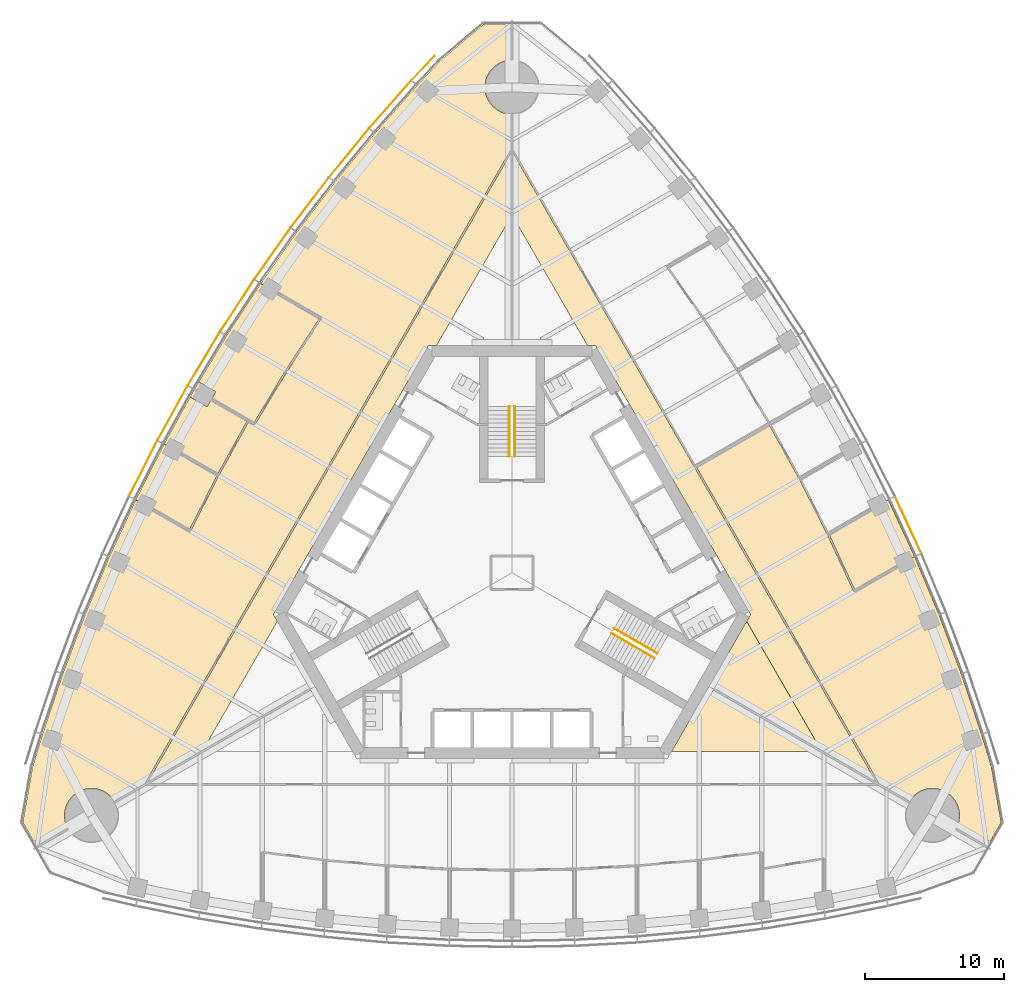
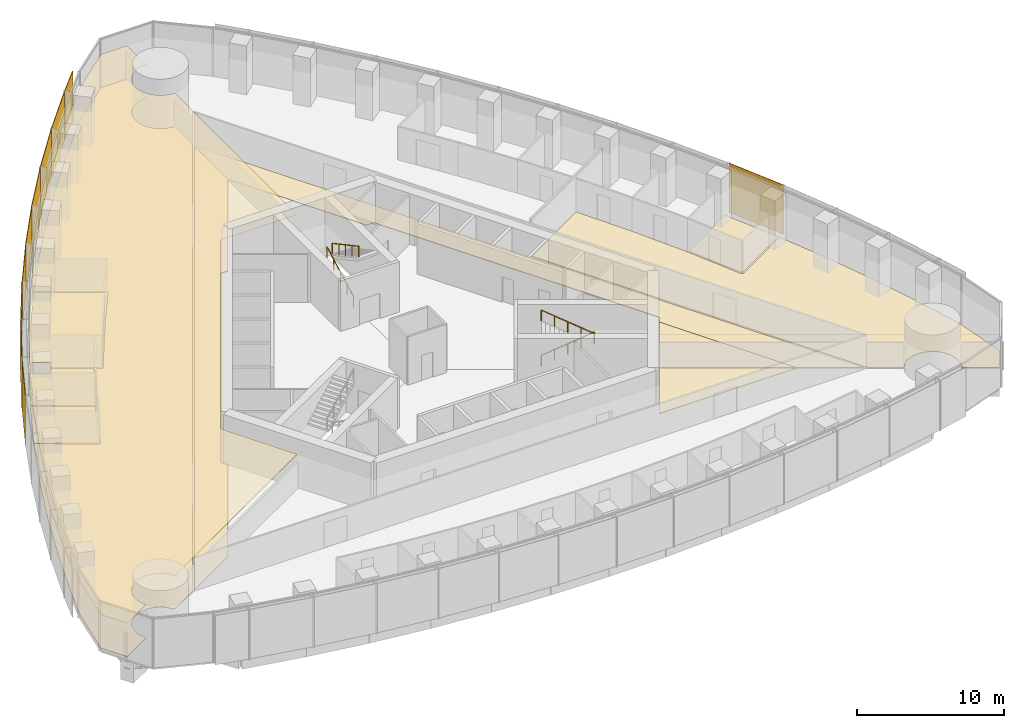
# One storey, part 18 of 21: 11 coverings, 10 shading devices, 4 railings.
"""IFC4 building model written with IfcOpenShell, lengths in metres."""

from ifc_helpers import new_model, si_unit, direction, frame, origin, origin_2d, place, context, subcontext, project, spatial, polyline, rectangle, circle, outline, extrude, material, layer, layer_set, type_object, element, save


model = new_model("IFC4")

# Units and contexts
model_context = context("Model", 3, precision=1e-05, world=origin(), true_north=direction((0.0, 1.0)))
body_context = subcontext(model_context, "Body", "Model", "MODEL_VIEW")
ifc_project = project(units=[si_unit("LENGTHUNIT", "METRE"), si_unit("AREAUNIT", "SQUARE_METRE"), si_unit("VOLUMEUNIT", "CUBIC_METRE"), si_unit("PLANEANGLEUNIT", "RADIAN"), si_unit("MASSUNIT", "GRAM", prefix="KILO")], contexts=[model_context])

# Site, building, storey
site_placement = place(None, origin())
site = spatial("IfcSite", under=ifc_project, at=site_placement, CompositionType="ELEMENT")
building_placement = place(site_placement, origin())
building = spatial("IfcBuilding", under=site, at=building_placement, Name="Trefoil Bronze Tower", CompositionType="ELEMENT")
storey_placement = place(building_placement, frame((0.0, 0.0, 145.10009765625)))
storey = spatial("IfcBuildingStorey", under=building, at=storey_placement, Name="L33", CompositionType="ELEMENT", Elevation=145.10009765625)

# Shading devices
ifc_material_1 = material(Name="Perforated bronze sheet", Category="bronze")
ifc_layer_1 = layer(ifc_material_1, 0.0400390625)
ifc_layer_set_1 = layer_set([ifc_layer_1], Name="Bronze solar screen panel")
shading_device_type = type_object("IfcShadingDeviceType", Name="Bronze solar screen panel", PredefinedType="SHUTTER", material=ifc_layer_set_1)
shading_device_1_placement = place(storey_placement, frame((28.563720703125, 3.444580078125, 0.0498046875), z_axis=(0.0, 0.0, 1.0), x_axis=(-0.419932995871, 0.907555110712, 0.0)))
element("IfcShadingDevice", 1, at=shading_device_1_placement, inside=storey, type_object=shading_device_type, Name="Solar screen CW-A L33 F2 bay 5", PredefinedType="SHUTTER", context=body_context, shape_type="SweptSolid", body=[
    extrude(rectangle(XDim=4.48828125, YDim=0.0400390625, at=origin_2d()), origin(), (0.0, 0.0, 1.0), 4.10009765625),
])
shading_device_2_placement = place(storey_placement, frame((-6.416748046875, 36.383544921875, 0.0498046875), z_axis=(0.0, 0.0, 1.0), x_axis=(-0.682535770759, -0.730852188636, 0.0)))
element("IfcShadingDevice", 2, at=shading_device_2_placement, inside=storey, type_object=shading_device_type, Name="Solar screen CW-A L33 F3 bay 1", PredefinedType="SHUTTER", context=body_context, shape_type="SweptSolid", body=[
    extrude(rectangle(XDim=2.39013671875, YDim=0.0400390625, at=origin_2d()), origin(), (0.0, 0.0, 1.0), 4.10009765625),
])
shading_device_3_placement = place(storey_placement, frame((-8.77197265625, 33.766845703125, 0.0498046875), z_axis=(0.0, 0.0, 1.0), x_axis=(-0.661751405978, -0.749723333428, 0.0)))
element("IfcShadingDevice", 3, at=shading_device_3_placement, inside=storey, type_object=shading_device_type, Name="Solar screen CW-A L33 F3 bay 2", PredefinedType="SHUTTER", context=body_context, shape_type="SweptSolid", body=[
    extrude(rectangle(XDim=4.56103515625, YDim=0.0400390625, at=origin_2d()), origin(), (0.0, 0.0, 1.0), 4.10009765625),
])
shading_device_4_placement = place(storey_placement, frame((-11.7490234375, 30.26708984375, 0.0498046875), z_axis=(0.0, 0.0, 1.0), x_axis=(-0.633839916024, -0.773464259584, 0.0)))
element("IfcShadingDevice", 4, at=shading_device_4_placement, inside=storey, type_object=shading_device_type, Name="Solar screen CW-A L33 F3 bay 3", PredefinedType="SHUTTER", context=body_context, shape_type="SweptSolid", body=[
    extrude(rectangle(XDim=4.5302734375, YDim=0.0400390625, at=origin_2d()), origin(), (0.0, 0.0, 1.0), 4.10009765625),
])
shading_device_5_placement = place(storey_placement, frame((-14.579345703125, 26.6826171875, 0.0498046875), z_axis=(0.0, 0.0, 1.0), x_axis=(-0.605252319983, -0.796033685943, 0.0)))
element("IfcShadingDevice", 5, at=shading_device_5_placement, inside=storey, type_object=shading_device_type, Name="Solar screen CW-A L33 F3 bay 4", PredefinedType="SHUTTER", context=body_context, shape_type="SweptSolid", body=[
    extrude(rectangle(XDim=4.50634765625, YDim=0.0400390625, at=origin_2d()), origin(), (0.0, 0.0, 1.0), 4.10009765625),
])
shading_device_6_placement = place(storey_placement, frame((-17.264892578125, 23.014404296875, 0.0498046875), z_axis=(0.0, 0.0, 1.0), x_axis=(-0.575999283275, -0.817450197667, 0.0)))
element("IfcShadingDevice", 6, at=shading_device_6_placement, inside=storey, type_object=shading_device_type, Name="Solar screen CW-A L33 F3 bay 5", PredefinedType="SHUTTER", context=body_context, shape_type="SweptSolid", body=[
    extrude(rectangle(XDim=4.48828125, YDim=0.0400390625, at=origin_2d()), origin(), (0.0, 0.0, 1.0), 4.10009765625),
])
shading_device_7_placement = place(storey_placement, frame((-19.8076171875, 19.263916015625, 0.0498046875), z_axis=(0.0, 0.0, 1.0), x_axis=(-0.546088612237, -0.837727418427, 0.0)))
element("IfcShadingDevice", 7, at=shading_device_7_placement, inside=storey, type_object=shading_device_type, Name="Solar screen CW-A L33 F3 bay 6", PredefinedType="SHUTTER", context=body_context, shape_type="SweptSolid", body=[
    extrude(rectangle(XDim=4.4765625, YDim=0.0400390625, at=origin_2d()), origin(), (0.0, 0.0, 1.0), 4.10009765625),
])
for number, where, z_axis, x_axis, name in (
    (8, (-22.208740234375, 15.431396484375, 0.0498046875), (0.0, 0.0, 1.0), (-0.515525413486, -0.856874289526, 0.0), "Solar screen CW-A L33 F3 bay 7"),
    (9, (-24.468505859375, 11.517578125, 0.0498046875), (0.0, 0.0, 1.0), (-0.484312195836, -0.874895249138, 0.0), "Solar screen CW-A L33 F3 bay 8"),
):
    element("IfcShadingDevice", number, at=place(storey_placement, frame(where, z_axis=z_axis, x_axis=x_axis)), inside=storey, type_object=shading_device_type, Name=name, PredefinedType="SHUTTER", context=body_context, shape_type="SweptSolid", body=[
        extrude(rectangle(XDim=4.470703125, YDim=0.0400390625, at=origin_2d()), origin(), (0.0, 0.0, 1.0), 4.10009765625),
    ])
shading_device_8_placement = place(storey_placement, frame((-26.5869140625, 7.52197265625, 0.0498046875), z_axis=(0.0, 0.0, 1.0), x_axis=(-0.452448919686, -0.891790320128, 0.0)))
element("IfcShadingDevice", 10, at=shading_device_8_placement, inside=storey, type_object=shading_device_type, Name="Solar screen CW-A L33 F3 bay 9", PredefinedType="SHUTTER", context=body_context, shape_type="SweptSolid", body=[
    extrude(rectangle(XDim=4.4765625, YDim=0.0400390625, at=origin_2d()), origin(), (0.0, 0.0, 1.0), 4.10009765625),
])

# Railings
ifc_material_2 = material(Name="Steel handrail", Category="steel")
railing_type = type_object("IfcRailingType", Name="Handrail 900", PredefinedType="HANDRAIL", material=ifc_material_2)
railing_1_placement = place(storey_placement, frame((7.365966796875, -4.021728515625, 0.161376953125)))
element("IfcRailing", 11, at=railing_1_placement, inside=storey, type_object=railing_type, Name="Handrail ST1 flight 1 L33", PredefinedType="HANDRAIL", context=body_context, shape_type="SweptSolid", body=[
    extrude(circle(Radius=0.02392578125, at=origin_2d()), frame((0.0, 0.0, 0.8759765625), z_axis=(0.76250339821, -0.440245697338, 0.474101564745), x_axis=(0.500012057535, 0.866018442252, 0.0)), (0.0, 0.0, 1.0), 4.088623046875),
    extrude(circle(Radius=0.02099609375, at=origin_2d()), origin(), (0.0, 0.0, 1.0), 0.851806640625),
    extrude(circle(Radius=0.02099609375, at=origin_2d()), frame((0.779296875, -0.449951171875, 0.484619140625)), (0.0, 0.0, 1.0), 0.851806640625),
    extrude(circle(Radius=0.02099609375, at=origin_2d()), frame((1.558837890625, -0.89990234375, 0.96923828125)), (0.0, 0.0, 1.0), 0.851806640625),
    extrude(circle(Radius=0.02099609375, at=origin_2d()), frame((2.33837890625, -1.35009765625, 1.453857421875)), (0.0, 0.0, 1.0), 0.851806640625),
    extrude(circle(Radius=0.02099609375, at=origin_2d()), frame((3.11767578125, -1.800048828125, 1.9384765625)), (0.0, 0.0, 1.0), 0.851806640625),
])
railing_2_placement = place(storey_placement, frame((10.28369140625, -6.168212890625, 2.261474609375)))
element("IfcRailing", 12, at=railing_2_placement, inside=storey, type_object=railing_type, Name="Handrail ST1 flight 2 L33", PredefinedType="HANDRAIL", context=body_context, shape_type="SweptSolid", body=[
    extrude(circle(Radius=0.02392578125, at=origin_2d()), frame((0.0, 0.0, 0.8759765625), z_axis=(-0.76250339821, 0.440245697338, 0.474101564745), x_axis=(-0.500012057535, -0.866018442252, 0.0)), (0.0, 0.0, 1.0), 4.088623046875),
    extrude(circle(Radius=0.02099609375, at=origin_2d()), origin(), (0.0, 0.0, 1.0), 0.851806640625),
    extrude(circle(Radius=0.02099609375, at=origin_2d()), frame((-0.779296875, 0.449951171875, 0.484619140625)), (0.0, 0.0, 1.0), 0.851806640625),
    extrude(circle(Radius=0.02099609375, at=origin_2d()), frame((-1.558837890625, 0.89990234375, 0.96923828125)), (0.0, 0.0, 1.0), 0.851806640625),
    extrude(circle(Radius=0.02099609375, at=origin_2d()), frame((-2.33837890625, 1.35009765625, 1.453857421875)), (0.0, 0.0, 1.0), 0.851806640625),
    extrude(circle(Radius=0.02099609375, at=origin_2d()), frame((-3.11767578125, 1.800048828125, 1.9384765625)), (0.0, 0.0, 1.0), 0.851806640625),
])
railing_3_placement = place(storey_placement, frame((-0.199951171875, 8.389892578125, 0.161376953125)))
element("IfcRailing", 13, at=railing_3_placement, inside=storey, type_object=railing_type, Name="Handrail ST2 flight 1 L33", PredefinedType="HANDRAIL", context=body_context, shape_type="SweptSolid", body=[
    extrude(circle(Radius=0.02392578125, at=origin_2d()), frame((0.0, 0.0, 0.8759765625), z_axis=(0.0, 0.880474934443, 0.474092701714), x_axis=(-1.0, 0.0, 0.0)), (0.0, 0.0, 1.0), 4.0888671875),
    extrude(circle(Radius=0.02099609375, at=origin_2d()), origin(), (0.0, 0.0, 1.0), 0.851806640625),
    extrude(circle(Radius=0.02099609375, at=origin_2d()), frame((0.0, 0.89990234375, 0.484619140625)), (0.0, 0.0, 1.0), 0.851806640625),
    extrude(circle(Radius=0.02099609375, at=origin_2d()), frame((0.0, 1.800048828125, 0.96923828125)), (0.0, 0.0, 1.0), 0.851806640625),
    extrude(circle(Radius=0.02099609375, at=origin_2d()), frame((0.0, 2.7001953125, 1.453857421875)), (0.0, 0.0, 1.0), 0.851806640625),
    extrude(circle(Radius=0.02099609375, at=origin_2d()), frame((0.0, 3.60009765625, 1.9384765625)), (0.0, 0.0, 1.0), 0.851806640625),
])
railing_4_placement = place(storey_placement, frame((0.199951171875, 11.989990234375, 2.261474609375)))
element("IfcRailing", 14, at=railing_4_placement, inside=storey, type_object=railing_type, Name="Handrail ST2 flight 2 L33", PredefinedType="HANDRAIL", context=body_context, shape_type="SweptSolid", body=[
    extrude(circle(Radius=0.02392578125, at=origin_2d()), frame((0.0, 0.0, 0.8759765625), z_axis=(0.0, -0.880474934443, 0.474092701714), x_axis=(1.0, 0.0, 0.0)), (0.0, 0.0, 1.0), 4.0888671875),
    extrude(circle(Radius=0.02099609375, at=origin_2d()), origin(), (0.0, 0.0, 1.0), 0.851806640625),
    extrude(circle(Radius=0.02099609375, at=origin_2d()), frame((0.0, -0.89990234375, 0.484619140625)), (0.0, 0.0, 1.0), 0.851806640625),
    extrude(circle(Radius=0.02099609375, at=origin_2d()), frame((0.0, -1.800048828125, 0.96923828125)), (0.0, 0.0, 1.0), 0.851806640625),
    extrude(circle(Radius=0.02099609375, at=origin_2d()), frame((0.0, -2.7001953125, 1.453857421875)), (0.0, 0.0, 1.0), 0.851806640625),
    extrude(circle(Radius=0.02099609375, at=origin_2d()), frame((0.0, -3.60009765625, 1.9384765625)), (0.0, 0.0, 1.0), 0.851806640625),
])

# Coverings
ifc_material_3 = material(Name="Acoustic ceiling panels", Category="mineral fibre")
ifc_layer_2 = layer(ifc_material_3, 0.02001953125)
ifc_layer_set_2 = layer_set([ifc_layer_2], Name="Office ceiling 20")
covering_type_1 = type_object("IfcCoveringType", Name="Office ceiling 20", PredefinedType="CEILING", material=ifc_layer_set_2)
covering_1_placement = place(storey_placement, frame((0.0, 0.0, 2.89990234375)))
element("IfcCovering", 15, at=covering_1_placement, inside=storey, type_object=covering_type_1, Name="Ceiling L33 Open-plan office F3", PredefinedType="CEILING", context=body_context, shape_type="SweptSolid", body=[
    extrude(outline(polyline([(-33.847900390625, -11.634765625), (-32.385986328125, -7.28271484375), (-30.776611328125, -3.015625), (-29.022216796875, 1.16748046875), (-27.124755859375, 5.268310546875), (-25.085693359375, 9.287109375), (-22.906005859375, 13.224853515625), (-20.585693359375, 17.081298828125), (-18.124755859375, 20.856689453125), (-15.522216796875, 24.55029296875), (-12.776611328125, 28.1611328125), (-9.885986328125, 31.6884765625), (-6.847900390625, 35.130615234375), (-5.1962890625, 36.8994140625), (-2.052001953125, 39.53759765625), (-0.014892578125, 39.53759765625), (-0.013916015625, 36.94970703125), (-0.095703125, 36.94775390625), (-0.191162109375, 36.940673828125), (-0.2861328125, 36.928955078125), (-0.38037109375, 36.91259765625), (-0.473876953125, 36.8916015625), (-0.566162109375, 36.865966796875), (-0.656982421875, 36.8359375), (-0.74609375, 36.801513671875), (-0.833740234375, 36.7626953125), (-0.919189453125, 36.7197265625), (-1.00244140625, 36.672607421875), (-1.08349609375, 36.621337890625), (-1.16162109375, 36.56640625), (-1.237060546875, 36.50732421875), (-1.3095703125, 36.44482421875), (-1.37890625, 36.37890625), (-1.44482421875, 36.3095703125), (-1.50732421875, 36.237060546875), (-1.56640625, 36.16162109375), (-1.621337890625, 36.08349609375), (-1.672607421875, 36.00244140625), (-1.7197265625, 35.919189453125), (-1.7626953125, 35.833740234375), (-1.801513671875, 35.74609375), (-1.8359375, 35.656982421875), (-1.865966796875, 35.566162109375), (-1.8916015625, 35.473876953125), (-1.91259765625, 35.38037109375), (-1.928955078125, 35.2861328125), (-1.940673828125, 35.191162109375), (-1.94775390625, 35.095703125), (-1.949951171875, 35.0), (-1.94775390625, 34.904296875), (-1.940673828125, 34.808837890625), (-1.928955078125, 34.7138671875), (-1.91259765625, 34.61962890625), (-1.8916015625, 34.526123046875), (-1.865966796875, 34.433837890625), (-1.8359375, 34.343017578125), (-1.801513671875, 34.25390625), (-1.7626953125, 34.166259765625), (-1.7197265625, 34.080810546875), (-1.672607421875, 33.99755859375), (-1.621337890625, 33.91650390625), (-1.56640625, 33.83837890625), (-1.50732421875, 33.762939453125), (-1.44482421875, 33.6904296875), (-1.37890625, 33.62109375), (-1.3095703125, 33.55517578125), (-1.237060546875, 33.49267578125), (-1.16162109375, 33.43359375), (-1.08349609375, 33.378662109375), (-1.00244140625, 33.327392578125), (-0.919189453125, 33.2802734375), (-0.833740234375, 33.2373046875), (-0.74609375, 33.198486328125), (-0.656982421875, 33.1640625), (-0.566162109375, 33.134033203125), (-0.473876953125, 33.1083984375), (-0.38037109375, 33.08740234375), (-0.2861328125, 33.071044921875), (-0.191162109375, 33.059326171875), (-0.095703125, 33.05224609375), (-0.012451171875, 33.05029296875), (-0.006103515625, 16.39990234375), (-6.00439453125, 16.39990234375), (-17.205078125, -3.0), (-14.205810546875, -8.194580078125), (-28.628662109375, -16.514404296875), (-28.689453125, -16.41650390625), (-28.74462890625, -16.33837890625), (-28.803466796875, -16.262939453125), (-28.865966796875, -16.1904296875), (-28.931884765625, -16.12109375), (-29.001220703125, -16.05517578125), (-29.07373046875, -15.99267578125), (-29.1494140625, -15.93359375), (-29.2275390625, -15.878662109375), (-29.308349609375, -15.827392578125), (-29.3916015625, -15.7802734375), (-29.477294921875, -15.7373046875), (-29.564697265625, -15.698486328125), (-29.654052734375, -15.6640625), (-29.744873046875, -15.634033203125), (-29.837158203125, -15.6083984375), (-29.930419921875, -15.58740234375), (-30.02490234375, -15.571044921875), (-30.119873046875, -15.559326171875), (-30.215087890625, -15.55224609375), (-30.310791015625, -15.550048828125), (-30.406494140625, -15.55224609375), (-30.501953125, -15.559326171875), (-30.596923828125, -15.571044921875), (-30.69140625, -15.58740234375), (-30.78466796875, -15.6083984375), (-30.876953125, -15.634033203125), (-30.9677734375, -15.6640625), (-31.05712890625, -15.698486328125), (-31.14453125, -15.7373046875), (-31.22998046875, -15.7802734375), (-31.3134765625, -15.827392578125), (-31.394287109375, -15.878662109375), (-31.472412109375, -15.93359375), (-31.548095703125, -15.99267578125), (-31.620361328125, -16.05517578125), (-31.689697265625, -16.12109375), (-31.755615234375, -16.1904296875), (-31.818359375, -16.262939453125), (-31.877197265625, -16.33837890625), (-31.932373046875, -16.41650390625), (-31.9833984375, -16.49755859375), (-32.030517578125, -16.580810546875), (-32.07373046875, -16.666259765625), (-32.112548828125, -16.75390625), (-32.14697265625, -16.843017578125), (-32.177001953125, -16.933837890625), (-32.202392578125, -17.026123046875), (-32.223388671875, -17.11962890625), (-32.23974609375, -17.2138671875), (-32.25146484375, -17.308837890625), (-32.258544921875, -17.404296875), (-32.260986328125, -17.5), (-32.258544921875, -17.595703125), (-32.25146484375, -17.691162109375), (-32.23974609375, -17.7861328125), (-32.223388671875, -17.88037109375), (-32.202392578125, -17.973876953125), (-32.177001953125, -18.066162109375), (-32.14697265625, -18.156982421875), (-32.112548828125, -18.24609375), (-32.07373046875, -18.333740234375), (-32.030517578125, -18.419189453125), (-32.006103515625, -18.462646484375), (-34.247802734375, -19.755859375), (-35.2666015625, -17.99169921875), (-34.5537109375, -13.94970703125), (-33.847900390625, -11.634765625)])), origin(), (0.0, 0.0, 1.0), 0.02001953125),
])
ifc_material_4 = material(Name="Raised access floor panels", Category="steel")
ifc_layer_3 = layer(ifc_material_4, 0.050048828125)
ifc_layer_set_3 = layer_set([ifc_layer_3], Name="Raised access floor 150")
covering_type_2 = type_object("IfcCoveringType", Name="Raised access floor 150", PredefinedType="FLOORING", material=ifc_layer_set_3)
covering_2_placement = place(storey_placement, frame((0.0, 0.0, 0.099853515625)))
element("IfcCovering", 16, at=covering_2_placement, inside=storey, type_object=covering_type_2, Name="Raised floor L33 Open-plan office F1", PredefinedType="FLOORING", context=body_context, shape_type="SweptSolid", body=[
    extrude(outline(polyline([(14.19970703125, -8.205322265625), (22.32421875, -12.89990234375), (11.4892578125, -12.89990234375), (14.19970703125, -8.205322265625)])), origin(), (0.0, 0.0, 1.0), 0.050048828125),
])
covering_3_placement = place(storey_placement, frame((0.0, 0.0, 0.099853515625)))
element("IfcCovering", 17, at=covering_3_placement, inside=storey, type_object=covering_type_2, Name="Raised floor L33 Meeting room F2", PredefinedType="FLOORING", context=body_context, shape_type="SweptSolid", body=[
    extrude(outline(polyline([(27.124755859375, 5.268310546875), (29.022216796875, 1.16748046875), (27.7548828125, 0.435791015625), (27.724853515625, 0.48779296875), (24.718994140625, -1.24755859375), (22.872314453125, 2.74365234375), (25.8916015625, 4.48681640625), (25.861572265625, 4.538818359375), (27.124755859375, 5.268310546875)])), origin(), (0.0, 0.0, 1.0), 0.050048828125),
])
covering_4_placement = place(storey_placement, frame((0.0, 0.0, 0.099853515625)))
element("IfcCovering", 18, at=covering_4_placement, inside=storey, type_object=covering_type_2, Name="Raised floor L33 Corridor F2", PredefinedType="FLOORING", context=body_context, shape_type="SweptSolid", body=[
    extrude(outline(polyline([(26.31591796875, -15.180419921875), (22.333740234375, -12.88330078125), (16.91650390625, -3.5), (17.205078125, -3.0), (6.00439453125, 16.39990234375), (5.427001953125, 16.39990234375), (0.009765625, 25.783203125), (0.011474609375, 30.38037109375), (26.31591796875, -15.180419921875)])), origin(), (0.0, 0.0, 1.0), 0.050048828125),
])
covering_5_placement = place(storey_placement, frame((0.0, 0.0, 0.099853515625)))
element("IfcCovering", 19, at=covering_5_placement, inside=storey, type_object=covering_type_2, Name="Raised floor L33 Open-plan office F2", PredefinedType="FLOORING", context=body_context, shape_type="SweptSolid", body=[
    extrude(outline(polyline([(14.205810546875, -8.194580078125), (16.91650390625, -3.5), (22.333740234375, -12.88330078125), (14.205810546875, -8.194580078125)])), origin(), (0.0, 0.0, 1.0), 0.050048828125),
])
covering_6_placement = place(storey_placement, frame((0.0, 0.0, 0.099853515625)))
element("IfcCovering", 20, at=covering_6_placement, inside=storey, type_object=covering_type_2, Name="Raised floor L33 Open-plan office F2", PredefinedType="FLOORING", context=body_context, shape_type="SweptSolid", body=[
    extrude(outline(polyline([(26.40966796875, -15.234375), (26.466552734375, -15.201416015625), (13.304931640625, 7.594970703125), (18.560302734375, 10.629150390625), (20.70263671875, 6.759033203125), (22.74072265625, 2.7421875), (24.6376953125, -1.357666015625), (24.692138671875, -1.33251953125), (24.72216796875, -1.384521484375), (27.784912109375, 0.3837890625), (27.7548828125, 0.435791015625), (29.022216796875, 1.16748046875), (30.776611328125, -3.015625), (32.385986328125, -7.28271484375), (33.847900390625, -11.634765625), (34.5537109375, -13.94970703125), (35.2666015625, -17.99169921875), (34.247802734375, -19.755859375), (32.006103515625, -18.462646484375), (32.030517578125, -18.419189453125), (32.07373046875, -18.333740234375), (32.112548828125, -18.24609375), (32.14697265625, -18.156982421875), (32.177001953125, -18.066162109375), (32.202392578125, -17.973876953125), (32.223388671875, -17.88037109375), (32.23974609375, -17.7861328125), (32.25146484375, -17.691162109375), (32.258544921875, -17.595703125), (32.260986328125, -17.5), (32.258544921875, -17.404296875), (32.25146484375, -17.308837890625), (32.23974609375, -17.2138671875), (32.223388671875, -17.11962890625), (32.202392578125, -17.026123046875), (32.177001953125, -16.933837890625), (32.14697265625, -16.843017578125), (32.112548828125, -16.75390625), (32.07373046875, -16.666259765625), (32.030517578125, -16.580810546875), (31.9833984375, -16.49755859375), (31.932373046875, -16.41650390625), (31.877197265625, -16.33837890625), (31.818359375, -16.262939453125), (31.755615234375, -16.1904296875), (31.689697265625, -16.12109375), (31.620361328125, -16.05517578125), (31.548095703125, -15.99267578125), (31.472412109375, -15.93359375), (31.394287109375, -15.878662109375), (31.3134765625, -15.827392578125), (31.22998046875, -15.7802734375), (31.14453125, -15.7373046875), (31.05712890625, -15.698486328125), (30.9677734375, -15.6640625), (30.876953125, -15.634033203125), (30.78466796875, -15.6083984375), (30.69140625, -15.58740234375), (30.596923828125, -15.571044921875), (30.501953125, -15.559326171875), (30.406494140625, -15.55224609375), (30.310791015625, -15.550048828125), (30.215087890625, -15.55224609375), (30.119873046875, -15.559326171875), (30.02490234375, -15.571044921875), (29.930419921875, -15.58740234375), (29.837158203125, -15.6083984375), (29.744873046875, -15.634033203125), (29.654052734375, -15.6640625), (29.564697265625, -15.698486328125), (29.477294921875, -15.7373046875), (29.3916015625, -15.7802734375), (29.308349609375, -15.827392578125), (29.2275390625, -15.878662109375), (29.1494140625, -15.93359375), (29.07373046875, -15.99267578125), (29.001220703125, -16.05517578125), (28.931884765625, -16.12109375), (28.865966796875, -16.1904296875), (28.803466796875, -16.262939453125), (28.74462890625, -16.33837890625), (28.689453125, -16.41650390625), (28.628662109375, -16.514404296875), (26.40966796875, -15.234375)])), origin(), (0.0, 0.0, 1.0), 0.050048828125),
])
covering_7_placement = place(storey_placement, frame((0.0, 0.0, 0.099853515625)))
element("IfcCovering", 21, at=covering_7_placement, inside=storey, type_object=covering_type_2, Name="Raised floor L33 Library F3", PredefinedType="FLOORING", context=body_context, shape_type="SweptSolid", body=[
    extrude(outline(polyline([(-22.583251953125, 13.76123046875), (-20.585693359375, 17.081298828125), (-18.124755859375, 20.856689453125), (-16.861572265625, 20.127197265625), (-16.8916015625, 20.0751953125), (-13.879638671875, 18.33642578125), (-16.305908203125, 14.6142578125), (-16.255615234375, 14.581298828125), (-16.30712890625, 14.6123046875), (-18.596923828125, 10.806396484375), (-21.615966796875, 12.54931640625), (-21.64599609375, 12.497314453125), (-21.671142578125, 12.51171875), (-21.358154296875, 13.053955078125), (-22.583251953125, 13.76123046875)])), origin(), (0.0, 0.0, 1.0), 0.050048828125),
])
covering_8_placement = place(storey_placement, frame((0.0, 0.0, 0.099853515625)))
element("IfcCovering", 22, at=covering_8_placement, inside=storey, type_object=covering_type_2, Name="Raised floor L33 Project room F3", PredefinedType="FLOORING", context=body_context, shape_type="SweptSolid", body=[
    extrude(outline(polyline([(-21.64599609375, 12.497314453125), (-21.676025390625, 12.4453125), (-19.090087890625, 10.952392578125), (-21.211669921875, 7.11962890625), (-23.794921875, 8.611083984375), (-23.824951171875, 8.55908203125), (-25.085693359375, 9.287109375), (-23.209228515625, 12.677001953125), (-21.984130859375, 11.9697265625), (-21.671142578125, 12.51171875), (-21.64599609375, 12.497314453125)])), origin(), (0.0, 0.0, 1.0), 0.050048828125),
])
covering_9_placement = place(storey_placement, frame((0.0, 0.0, 0.099853515625)))
element("IfcCovering", 23, at=covering_9_placement, inside=storey, type_object=covering_type_2, Name="Raised floor L33 Project room F3", PredefinedType="FLOORING", context=body_context, shape_type="SweptSolid", body=[
    extrude(outline(polyline([(-23.824951171875, 8.55908203125), (-23.85498046875, 8.507080078125), (-21.26806640625, 7.013671875), (-23.252685546875, 3.101806640625), (-25.83154296875, 4.5908203125), (-25.861572265625, 4.538818359375), (-27.124755859375, 5.268310546875), (-25.085693359375, 9.287109375), (-23.824951171875, 8.55908203125)])), origin(), (0.0, 0.0, 1.0), 0.050048828125),
])
covering_10_placement = place(storey_placement, frame((0.0, 0.0, 0.099853515625)))
element("IfcCovering", 24, at=covering_10_placement, inside=storey, type_object=covering_type_2, Name="Raised floor L33 Corridor F3", PredefinedType="FLOORING", context=body_context, shape_type="SweptSolid", body=[
    extrude(outline(polyline([(-26.31591796875, -15.180419921875), (-0.011474609375, 30.38037109375), (-0.009765625, 25.783203125), (-5.427001953125, 16.39990234375), (-6.00439453125, 16.39990234375), (-17.205078125, -3.0), (-16.91650390625, -3.5), (-22.333740234375, -12.88330078125), (-26.31591796875, -15.180419921875)])), origin(), (0.0, 0.0, 1.0), 0.050048828125),
])
covering_11_placement = place(storey_placement, frame((0.0, 0.0, 0.099853515625)))
element("IfcCovering", 25, at=covering_11_placement, inside=storey, type_object=covering_type_2, Name="Raised floor L33 Open-plan office F3", PredefinedType="FLOORING", context=body_context, shape_type="SweptSolid", body=[
    extrude(outline(polyline([(-30.776611328125, -3.015625), (-29.022216796875, 1.16748046875), (-27.124755859375, 5.268310546875), (-25.861572265625, 4.538818359375), (-25.8916015625, 4.48681640625), (-23.2578125, 2.96630859375), (-23.227783203125, 3.018310546875), (-23.17431640625, 2.9912109375), (-21.1357421875, 7.009033203125), (-18.986083984375, 10.892333984375), (-18.60595703125, 10.6728515625), (-18.575927734375, 10.724853515625), (-18.5244140625, 10.69384765625), (-16.810546875, 13.542724609375), (-15.562255859375, 15.53515625), (-13.744384765625, 18.323974609375), (-13.794677734375, 18.356689453125), (-13.7646484375, 18.40869140625), (-16.83154296875, 20.17919921875), (-16.861572265625, 20.127197265625), (-18.124755859375, 20.856689453125), (-15.522216796875, 24.55029296875), (-12.776611328125, 28.1611328125), (-9.885986328125, 31.6884765625), (-6.847900390625, 35.130615234375), (-5.1962890625, 36.8994140625), (-2.052001953125, 39.53759765625), (-0.014892578125, 39.53759765625), (-0.013916015625, 36.94970703125), (-0.095703125, 36.94775390625), (-0.191162109375, 36.940673828125), (-0.2861328125, 36.928955078125), (-0.38037109375, 36.91259765625), (-0.473876953125, 36.8916015625), (-0.566162109375, 36.865966796875), (-0.656982421875, 36.8359375), (-0.74609375, 36.801513671875), (-0.833740234375, 36.7626953125), (-0.919189453125, 36.7197265625), (-1.00244140625, 36.672607421875), (-1.08349609375, 36.621337890625), (-1.16162109375, 36.56640625), (-1.237060546875, 36.50732421875), (-1.3095703125, 36.44482421875), (-1.37890625, 36.37890625), (-1.44482421875, 36.3095703125), (-1.50732421875, 36.237060546875), (-1.56640625, 36.16162109375), (-1.621337890625, 36.08349609375), (-1.672607421875, 36.00244140625), (-1.7197265625, 35.919189453125), (-1.7626953125, 35.833740234375), (-1.801513671875, 35.74609375), (-1.8359375, 35.656982421875), (-1.865966796875, 35.566162109375), (-1.8916015625, 35.473876953125), (-1.91259765625, 35.38037109375), (-1.928955078125, 35.2861328125), (-1.940673828125, 35.191162109375), (-1.94775390625, 35.095703125), (-1.949951171875, 35.0), (-1.94775390625, 34.904296875), (-1.940673828125, 34.808837890625), (-1.928955078125, 34.7138671875), (-1.91259765625, 34.61962890625), (-1.8916015625, 34.526123046875), (-1.865966796875, 34.433837890625), (-1.8359375, 34.343017578125), (-1.801513671875, 34.25390625), (-1.7626953125, 34.166259765625), (-1.7197265625, 34.080810546875), (-1.672607421875, 33.99755859375), (-1.621337890625, 33.91650390625), (-1.56640625, 33.83837890625), (-1.50732421875, 33.762939453125), (-1.44482421875, 33.6904296875), (-1.37890625, 33.62109375), (-1.3095703125, 33.55517578125), (-1.237060546875, 33.49267578125), (-1.16162109375, 33.43359375), (-1.08349609375, 33.378662109375), (-1.00244140625, 33.327392578125), (-0.919189453125, 33.2802734375), (-0.833740234375, 33.2373046875), (-0.74609375, 33.198486328125), (-0.656982421875, 33.1640625), (-0.566162109375, 33.134033203125), (-0.473876953125, 33.1083984375), (-0.38037109375, 33.08740234375), (-0.2861328125, 33.071044921875), (-0.191162109375, 33.059326171875), (-0.095703125, 33.05224609375), (-0.012451171875, 33.05029296875), (-0.011474609375, 30.488525390625), (-0.068359375, 30.521484375), (-26.466552734375, -15.201416015625), (-26.40966796875, -15.234375), (-28.628662109375, -16.514404296875), (-28.689453125, -16.41650390625), (-28.74462890625, -16.33837890625), (-28.803466796875, -16.262939453125), (-28.865966796875, -16.1904296875), (-28.931884765625, -16.12109375), (-29.001220703125, -16.05517578125), (-29.07373046875, -15.99267578125), (-29.1494140625, -15.93359375), (-29.2275390625, -15.878662109375), (-29.308349609375, -15.827392578125), (-29.3916015625, -15.7802734375), (-29.477294921875, -15.7373046875), (-29.564697265625, -15.698486328125), (-29.654052734375, -15.6640625), (-29.744873046875, -15.634033203125), (-29.837158203125, -15.6083984375), (-29.930419921875, -15.58740234375), (-30.02490234375, -15.571044921875), (-30.119873046875, -15.559326171875), (-30.215087890625, -15.55224609375), (-30.310791015625, -15.550048828125), (-30.406494140625, -15.55224609375), (-30.501953125, -15.559326171875), (-30.596923828125, -15.571044921875), (-30.69140625, -15.58740234375), (-30.78466796875, -15.6083984375), (-30.876953125, -15.634033203125), (-30.9677734375, -15.6640625), (-31.05712890625, -15.698486328125), (-31.14453125, -15.7373046875), (-31.22998046875, -15.7802734375), (-31.3134765625, -15.827392578125), (-31.394287109375, -15.878662109375), (-31.472412109375, -15.93359375), (-31.548095703125, -15.99267578125), (-31.620361328125, -16.05517578125), (-31.689697265625, -16.12109375), (-31.755615234375, -16.1904296875), (-31.818359375, -16.262939453125), (-31.877197265625, -16.33837890625), (-31.932373046875, -16.41650390625), (-31.9833984375, -16.49755859375), (-32.030517578125, -16.580810546875), (-32.07373046875, -16.666259765625), (-32.112548828125, -16.75390625), (-32.14697265625, -16.843017578125), (-32.177001953125, -16.933837890625), (-32.202392578125, -17.026123046875), (-32.223388671875, -17.11962890625), (-32.23974609375, -17.2138671875), (-32.25146484375, -17.308837890625), (-32.258544921875, -17.404296875), (-32.260986328125, -17.5), (-32.258544921875, -17.595703125), (-32.25146484375, -17.691162109375), (-32.23974609375, -17.7861328125), (-32.223388671875, -17.88037109375), (-32.202392578125, -17.973876953125), (-32.177001953125, -18.066162109375), (-32.14697265625, -18.156982421875), (-32.112548828125, -18.24609375), (-32.07373046875, -18.333740234375), (-32.030517578125, -18.419189453125), (-32.006103515625, -18.462646484375), (-34.247802734375, -19.755859375), (-35.2666015625, -17.99169921875), (-34.5537109375, -13.94970703125), (-33.847900390625, -11.634765625), (-32.385986328125, -7.28271484375), (-30.776611328125, -3.015625)])), origin(), (0.0, 0.0, 1.0), 0.050048828125),
])

save(model, "model.ifc")
